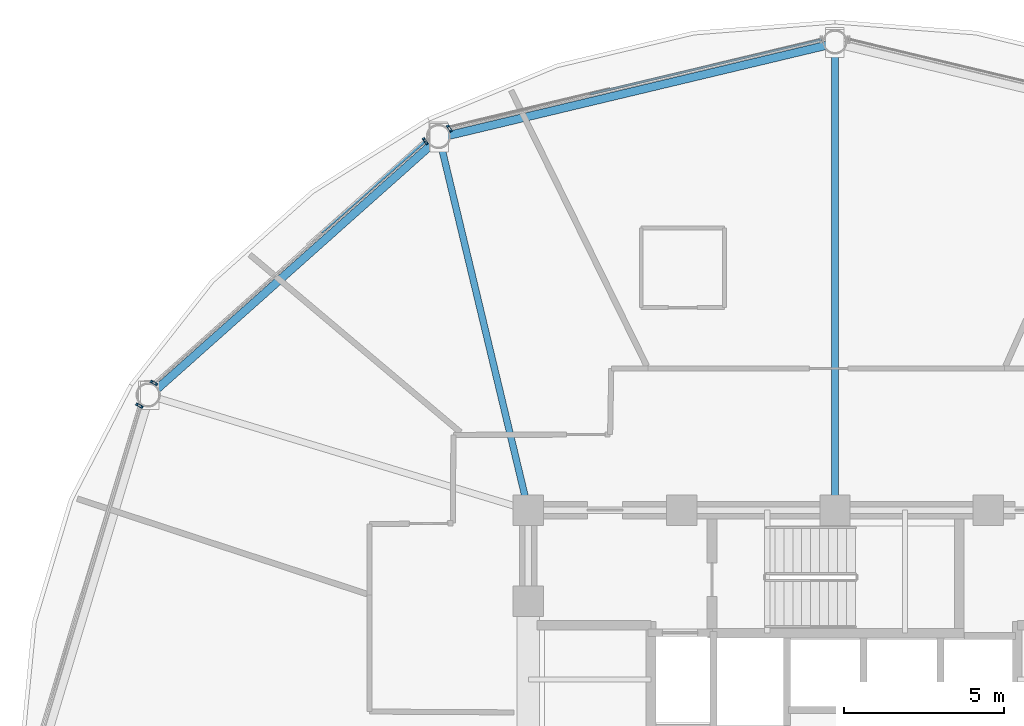
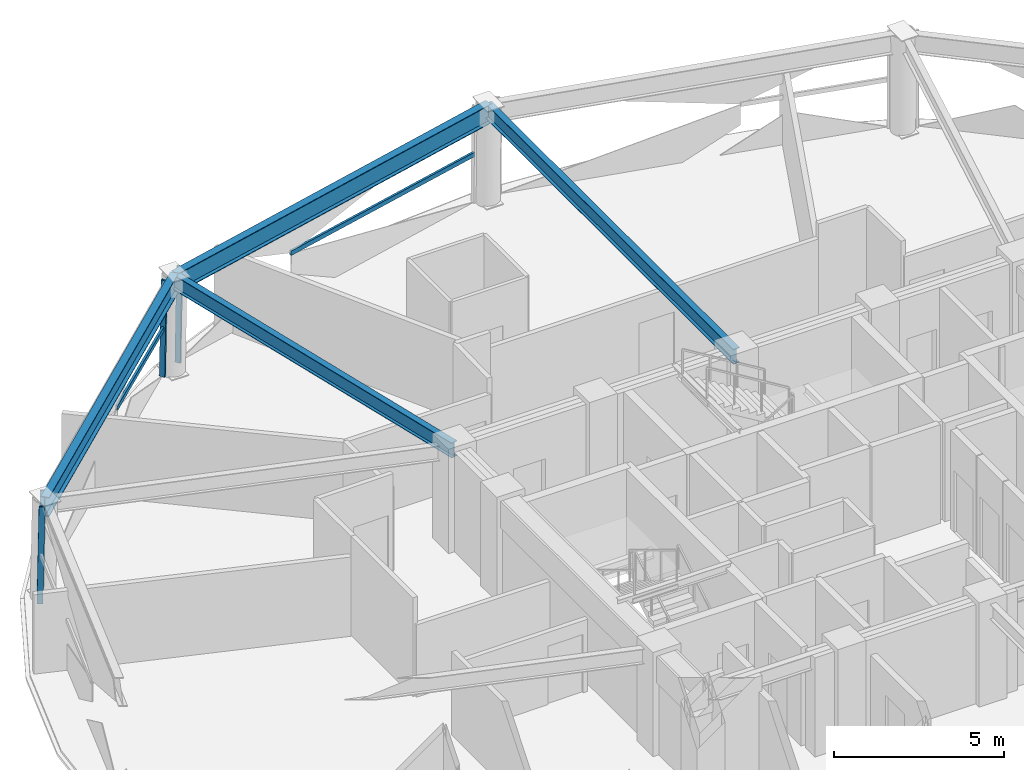
# One storey, part 6 of 16: 6 members, 4 beams, 3 elements without a shape of their own.
"""IFC4 building model written with IfcOpenShell, lengths in metres."""

from ifc_helpers import new_model, si_unit, direction, frame, origin, origin_2d, place, context, subcontext, project, spatial, hollow_rectangle, i_section, extrude, material, layer, layer_set, material_profile, profile_set, type_object, element, aggregate, save


model = new_model("IFC4")

# Units and contexts
model_context = context("Model", 3, precision=1e-05, world=origin(), true_north=direction((0.0, 1.0)))
body_context = subcontext(model_context, "Body", "Model", "MODEL_VIEW")
ifc_project = project(units=[si_unit("LENGTHUNIT", "METRE"), si_unit("AREAUNIT", "SQUARE_METRE"), si_unit("VOLUMEUNIT", "CUBIC_METRE"), si_unit("PLANEANGLEUNIT", "RADIAN"), si_unit("MASSUNIT", "GRAM", prefix="KILO")], contexts=[model_context])

# Site, building, storey
site_placement = place(None, origin())
site = spatial("IfcSite", under=ifc_project, at=site_placement, CompositionType="ELEMENT")
building_placement = place(site_placement, origin())
building = spatial("IfcBuilding", under=site, at=building_placement, Name="Vantalir Tower", CompositionType="ELEMENT")
storey_placement = place(building_placement, frame((0.0, 0.0, 145.949951171875)))
storey = spatial("IfcBuildingStorey", under=building, at=storey_placement, Name="L36", CompositionType="ELEMENT", Elevation=145.949951171875)

# Beams
ifc_material_1 = material(Name="Steel S355", Category="steel")
ifc_material_profile_1 = material_profile(ifc_material_1, i_section(OverallWidth=0.2109375, OverallDepth=0.5390625, WebThickness=0.01171875, FlangeThickness=0.018798828125, at=origin_2d()), Name="Steel S355")
ifc_profile_set_1 = profile_set([ifc_material_profile_1], Name="Steel S355")
beam_type_1 = type_object("IfcBeamType", Name="BM-RB-533x210", PredefinedType="BEAM", material=ifc_profile_set_1)
beam_1_placement = place(storey_placement, frame((31.5, 47.069091796875, 3.301025390625), z_axis=(0.0, -1.0, 0.0), x_axis=(1.0, 0.0, 0.0)))
element("IfcBeam", 1, at=beam_1_placement, inside=storey, type_object=beam_type_1, Name="L36 Radial Floor Beam 04", PredefinedType="BEAM", context=body_context, shape_type="SweptSolid", body=[
    extrude(i_section(OverallWidth=0.2109375, OverallDepth=0.5390625, WebThickness=0.01171875, FlangeThickness=0.018798828125, at=origin_2d()), origin(), (0.0, 0.0, 1.0), 14.619140625),
])
beam_2_placement = place(storey_placement, frame((19.10888671875, 44.112060546875, 3.301025390625), z_axis=(0.23275072086, -0.97253642705, 0.0), x_axis=(0.97253642705, 0.23275072086, 0.0)))
element("IfcBeam", 2, at=beam_2_placement, inside=storey, type_object=beam_type_1, Name="L36 Radial Floor Beam 05", PredefinedType="BEAM", context=body_context, shape_type="SweptSolid", body=[
    extrude(i_section(OverallWidth=0.2109375, OverallDepth=0.5390625, WebThickness=0.01171875, FlangeThickness=0.018798828125, at=origin_2d()), origin(), (0.0, 0.0, 1.0), 11.991455078125),
])
ifc_material_2 = material(Name="Steel S460", Category="steel")
ifc_material_profile_2 = material_profile(ifc_material_2, i_section(OverallWidth=0.256103515625, OverallDepth=0.693115234375, WebThickness=0.014404296875, FlangeThickness=0.023681640625, at=origin_2d()), Name="Steel S460")
ifc_profile_set_2 = profile_set([ifc_material_profile_2], Name="Steel S460")
beam_type_2 = type_object("IfcBeamType", Name="BM-RG-686x254", PredefinedType="USERDEFINED", material=ifc_profile_set_2)
beam_3_placement = place(storey_placement, frame((31.5, 47.069091796875, 3.22412109375), z_axis=(-0.972686408119, -0.232123138573, 0.0), x_axis=(0.232123138573, -0.972686408119, 0.0)))
element("IfcBeam", 3, at=beam_3_placement, inside=storey, type_object=beam_type_2, Name="L36 Circumferential Ring Girder 04", ObjectType="GIRDER", PredefinedType="USERDEFINED", context=body_context, shape_type="SweptSolid", body=[
    extrude(i_section(OverallWidth=0.256103515625, OverallDepth=0.693115234375, WebThickness=0.014404296875, FlangeThickness=0.023681640625, at=origin_2d()), origin(), (0.0, 0.0, 1.0), 12.739013671875),
])
beam_4_placement = place(storey_placement, frame((19.10888671875, 44.112060546875, 3.22412109375), z_axis=(-0.746823535623, -0.665022260259, 0.0), x_axis=(0.665022260259, -0.746823535623, 0.0)))
element("IfcBeam", 4, at=beam_4_placement, inside=storey, type_object=beam_type_2, Name="L36 Circumferential Ring Girder 05", ObjectType="GIRDER", PredefinedType="USERDEFINED", context=body_context, shape_type="SweptSolid", body=[
    extrude(i_section(OverallWidth=0.256103515625, OverallDepth=0.693115234375, WebThickness=0.014404296875, FlangeThickness=0.023681640625, at=origin_2d()), origin(), (0.0, 0.0, 1.0), 12.147216796875),
])

# Curtain wall, member
ifc_material_3 = material(Name="Champagne-silver PVDF aluminium and double-silver Low-E glass", Category="aluminium")
ifc_layer = layer(ifc_material_3, 0.199951171875)
ifc_layer_set = layer_set([ifc_layer], Name="Champagne-silver PVDF aluminium and double-silver Low-E glass")
curtain_wall_type = type_object("IfcCurtainWallType", Name="CW-DIAMOND-Z2", PredefinedType="USERDEFINED", material=ifc_layer_set)
curtain_wall_1_placement = place(storey_placement, origin())
curtain_wall_1 = element("IfcCurtainWall", 5, at=curtain_wall_1_placement, inside=storey, type_object=curtain_wall_type, Name="L36 Quilted Pyramid-Diamond Curtain Wall S04", ObjectType="UNITISED CURTAIN WALL", PredefinedType="USERDEFINED")
ifc_material_4 = material(Name="Champagne-silver PVDF aluminium 6063-T6", Category="aluminium")
ifc_material_profile_3 = material_profile(ifc_material_4, hollow_rectangle(XDim=0.074951171875, YDim=0.179931640625, WallThickness=0.00390625, at=origin_2d()), Name="Champagne-silver PVDF aluminium 6063-T6")
ifc_profile_set_3 = profile_set([ifc_material_profile_3], Name="Champagne-silver PVDF aluminium 6063-T6")
member_type_1 = type_object("IfcMemberType", Name="CWM-180x75", PredefinedType="MULLION", material=ifc_profile_set_3)
member_1_placement = place(storey_placement, frame((19.410888671875, 44.426025390625, 0.045166015625), z_axis=(0.008908609565, -0.013538280677, 0.999868667192), x_axis=(0.835364778861, 0.54969599438, 0.0)))
member_1 = element("IfcMember", 6, at=member_1_placement, type_object=member_type_1, Name="CW-L36-S04 Mullion 2", PredefinedType="MULLION", context=body_context, shape_type="SweptSolid", body=[
    extrude(hollow_rectangle(XDim=0.074951171875, YDim=0.179931640625, WallThickness=0.00390625, at=origin_2d()), origin(), (0.0, 0.0, 1.0), 3.48046875),
])

# Curtain wall, members
curtain_wall_2_placement = place(storey_placement, origin())
curtain_wall_2 = element("IfcCurtainWall", 7, at=curtain_wall_2_placement, inside=storey, type_object=curtain_wall_type, Name="L36 Quilted Pyramid-Diamond Curtain Wall S05", ObjectType="UNITISED CURTAIN WALL", PredefinedType="USERDEFINED")
member_2_placement = place(storey_placement, frame((18.655029296875, 44.031005859375, 0.045166015625), z_axis=(0.008908609565, -0.013538280677, 0.999868667192), x_axis=(0.835364778861, 0.54969599438, 0.0)))
member_2 = element("IfcMember", 8, at=member_2_placement, type_object=member_type_1, Name="CW-L36-S05 Mullion 1", PredefinedType="MULLION", context=body_context, shape_type="SweptSolid", body=[
    extrude(hollow_rectangle(XDim=0.074951171875, YDim=0.179931640625, WallThickness=0.00390625, at=origin_2d()), origin(), (0.0, 0.0, 1.0), 3.48046875),
])
member_3_placement = place(storey_placement, frame((10.14697265625, 36.449951171875, 0.045166015625), z_axis=(0.015502060957, -0.007996538231, 0.999847859168), x_axis=(0.458438038271, 0.888726372438, 0.0)))
member_3 = element("IfcMember", 9, at=member_3_placement, type_object=member_type_1, Name="CW-L36-S05 Mullion 2", PredefinedType="MULLION", context=body_context, shape_type="SweptSolid", body=[
    extrude(hollow_rectangle(XDim=0.074951171875, YDim=0.179931640625, WallThickness=0.00390625, at=origin_2d()), origin(), (0.0, 0.0, 1.0), 3.48046875),
])

# Curtain wall, member
curtain_wall_3_placement = place(storey_placement, origin())
curtain_wall_3 = element("IfcCurtainWall", 10, at=curtain_wall_3_placement, inside=storey, type_object=curtain_wall_type, Name="L36 Quilted Pyramid-Diamond Curtain Wall S06", ObjectType="UNITISED CURTAIN WALL", PredefinedType="USERDEFINED")
member_4_placement = place(storey_placement, frame((9.69189453125, 35.736083984375, 0.045166015625), z_axis=(0.015572180284, -0.008066669967, 0.999846206192), x_axis=(0.459966883577, 0.887936070904, 0.0)))
member_4 = element("IfcMember", 11, at=member_4_placement, type_object=member_type_1, Name="CW-L36-S06 Mullion 1", PredefinedType="MULLION", context=body_context, shape_type="SweptSolid", body=[
    extrude(hollow_rectangle(XDim=0.074951171875, YDim=0.179931640625, WallThickness=0.00390625, at=origin_2d()), origin(), (0.0, 0.0, 1.0), 3.48046875),
])
aggregate(curtain_wall_3, [member_4])

# Member
ifc_material_profile_4 = material_profile(ifc_material_4, hollow_rectangle(XDim=0.074951171875, YDim=0.159912109375, WallThickness=0.00390625, at=origin_2d()), Name="Champagne-silver PVDF aluminium 6063-T6")
ifc_profile_set_4 = profile_set([ifc_material_profile_4], Name="Champagne-silver PVDF aluminium 6063-T6")
member_type_2 = type_object("IfcMemberType", Name="CWT-160x75", PredefinedType="USERDEFINED", material=ifc_profile_set_4)
member_5_placement = place(storey_placement, frame((31.072021484375, 47.18408203125, 1.78515625), z_axis=(-0.973380941551, -0.229193242975, 0.0), x_axis=(0.229193242975, -0.973380941551, 0.0)))
member_5 = element("IfcMember", 12, at=member_5_placement, type_object=member_type_2, Name="CW-L36-S04 Pyramid Fold Ridge Transom", ObjectType="TRANSOM", PredefinedType="USERDEFINED", context=body_context, shape_type="SweptSolid", body=[
    extrude(hollow_rectangle(XDim=0.074951171875, YDim=0.159912109375, WallThickness=0.00390625, at=origin_2d()), origin(), (0.0, 0.0, 1.0), 7.4267578125),
])

aggregate(curtain_wall_1, [member_1, member_5])

member_6_placement = place(storey_placement, frame((18.669921875, 44.008056640625, 1.78515625), z_axis=(-0.750071671562, -0.661356550977, 0.0), x_axis=(0.661356550977, -0.750071671562, 0.0)))
member_6 = element("IfcMember", 13, at=member_6_placement, type_object=member_type_2, Name="CW-L36-S05 Pyramid Fold Ridge Transom", ObjectType="TRANSOM", PredefinedType="USERDEFINED", context=body_context, shape_type="SweptSolid", body=[
    extrude(hollow_rectangle(XDim=0.074951171875, YDim=0.159912109375, WallThickness=0.00390625, at=origin_2d()), origin(), (0.0, 0.0, 1.0), 4.326171875),
])

aggregate(curtain_wall_2, [member_2, member_3, member_6])

save(model, "model.ifc")
